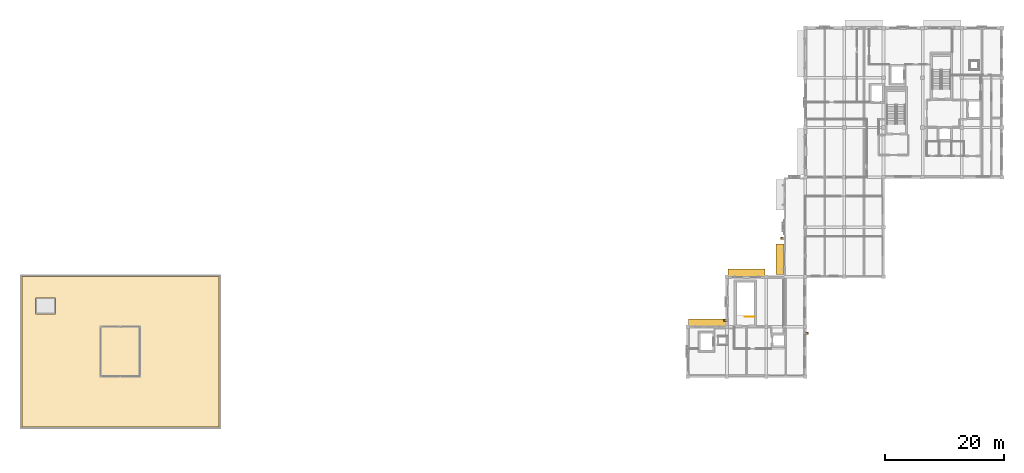
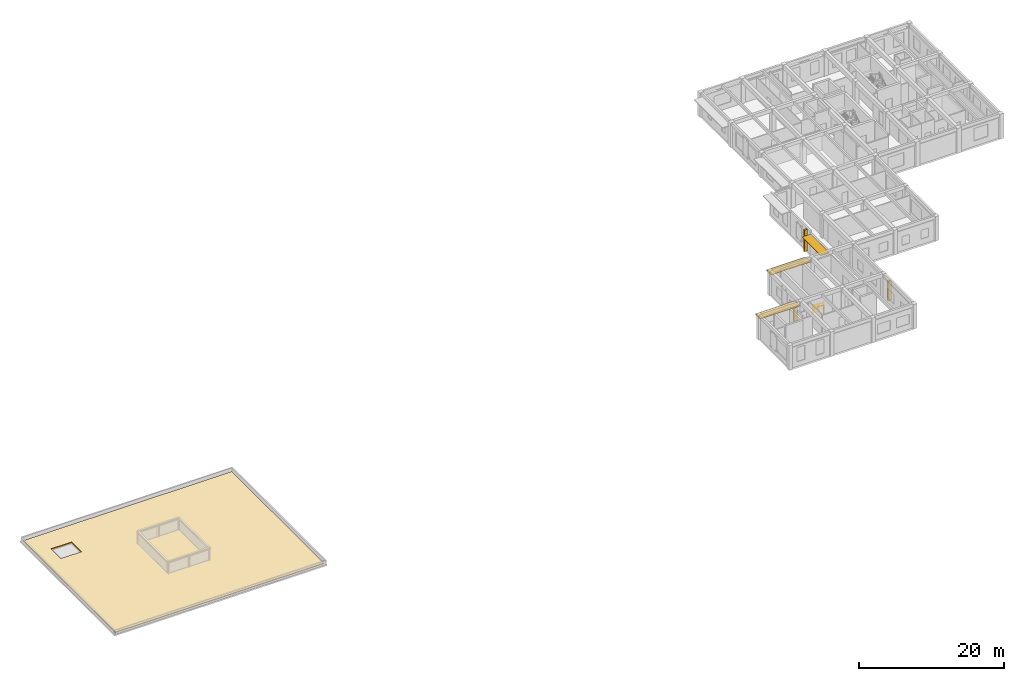
# One storey, part 12 of 14: 6 shading devices, 1 covering, 1 railing.
"""IFC4 building model written with IfcOpenShell, lengths in metres."""

from ifc_helpers import new_model, si_unit, direction, frame, origin, origin_2d, place, context, subcontext, project, spatial, polyline, rectangle, circle, outline, extrude, material, layer, layer_set, type_object, element, save


model = new_model("IFC4")

# Units and contexts
model_context = context("Model", 3, precision=1e-05, world=origin(), true_north=direction((0.0, 1.0)))
body_context = subcontext(model_context, "Body", "Model", "MODEL_VIEW")
ifc_project = project(units=[si_unit("LENGTHUNIT", "METRE"), si_unit("AREAUNIT", "SQUARE_METRE"), si_unit("VOLUMEUNIT", "CUBIC_METRE"), si_unit("PLANEANGLEUNIT", "RADIAN"), si_unit("MASSUNIT", "GRAM", prefix="KILO")], contexts=[model_context])

# Site, building, storey
site_placement = place(None, origin())
site = spatial("IfcSite", under=ifc_project, at=site_placement, CompositionType="ELEMENT")
building_placement = place(site_placement, origin())
building = spatial("IfcBuilding", under=site, at=building_placement, Name="Kolvaren Faculty of Natural Sciences", CompositionType="ELEMENT")
storey_placement = place(building_placement, frame((0.0, 0.0, 28.5)))
storey = spatial("IfcBuildingStorey", under=building, at=storey_placement, Name="L06", CompositionType="ELEMENT", Elevation=28.5)

# Shading devices
ifc_material_1 = material(Name="Precast concrete C35/45", Category="concrete")
ifc_layer_1 = layer(ifc_material_1, 0.1201171875)
ifc_layer_set_1 = layer_set([ifc_layer_1], Name="Precast concrete C35/45")
shading_device_type_1 = type_object("IfcShadingDeviceType", Name="ChhajjaSolarHood_1350", PredefinedType="AWNING", material=ifc_layer_set_1)
for number, where, z_axis, x_axis, name in (
    (1, (122.300048828125, 34.455078125, 3.19482421875), (0.0, 0.0, 1.0), (1.0, 0.0, 0.0), "L06 precast sandstone chhajja solar hood 176"),
    (2, (128.89990234375, 42.85498046875, 3.19482421875), (0.0, 0.0, 1.0), (1.0, 0.0, 0.0), "L06 precast sandstone chhajja solar hood 177"),
):
    element("IfcShadingDevice", number, at=place(storey_placement, frame(where, z_axis=z_axis, x_axis=x_axis)), inside=storey, type_object=shading_device_type_1, Name=name, PredefinedType="AWNING", context=body_context, shape_type="SweptSolid", body=[
        extrude(rectangle(XDim=6.300048828125, YDim=1.35009765625, at=origin_2d()), origin(), (0.0, 0.0, 1.0), 0.1201171875),
    ])
shading_device_1_placement = place(storey_placement, frame((134.544921875, 45.166748046875, 3.344970703125), z_axis=(0.0, 0.0, 1.0), x_axis=(0.0, 1.0, 0.0)))
element("IfcShadingDevice", 3, at=shading_device_1_placement, inside=storey, type_object=shading_device_type_1, Name="L06 precast sandstone chhajja solar hood 178", PredefinedType="AWNING", context=body_context, shape_type="SweptSolid", body=[
    extrude(rectangle(XDim=5.13330078125, YDim=1.35009765625, at=origin_2d()), origin(), (0.0, 0.0, 1.0), 0.1201171875),
])
ifc_layer_2 = layer(ifc_material_1, 0.280029296875)
ifc_layer_set_2 = layer_set([ifc_layer_2], Name="Precast concrete C35/45")
shading_device_type_2 = type_object("IfcShadingDeviceType", Name="FacadeReliefFin_280x520", PredefinedType="USERDEFINED", material=ifc_layer_set_2)
shading_device_2_placement = place(storey_placement, frame((125.360107421875, 34.89990234375, 0.1201171875), z_axis=(0.0, 0.0, 1.0), x_axis=(0.0, 1.0, 0.0)))
element("IfcShadingDevice", 4, at=shading_device_2_placement, inside=storey, type_object=shading_device_type_2, Name="L06 projecting sandstone facade relief fin 19", ObjectType="FIN", PredefinedType="USERDEFINED", context=body_context, shape_type="SweptSolid", body=[
    extrude(rectangle(XDim=0.280029296875, YDim=0.52001953125, at=origin_2d()), origin(), (0.0, 0.0, 1.0), 3.155029296875),
])
shading_device_3_placement = place(storey_placement, frame((134.9599609375, 48.7333984375, 0.1201171875), z_axis=(0.0, 0.0, 1.0), x_axis=(0.0, 1.0, 0.0)))
element("IfcShadingDevice", 5, at=shading_device_3_placement, inside=storey, type_object=shading_device_type_2, Name="L06 projecting sandstone facade relief fin 20", ObjectType="FIN", PredefinedType="USERDEFINED", context=body_context, shape_type="SweptSolid", body=[
    extrude(rectangle(XDim=0.280029296875, YDim=0.52001953125, at=origin_2d()), origin(), (0.0, 0.0, 1.0), 3.639892578125),
])
shading_device_4_placement = place(storey_placement, frame((139.0400390625, 32.699951171875, 0.1201171875), z_axis=(0.0, 0.0, 1.0), x_axis=(0.0, -1.0, 0.0)))
element("IfcShadingDevice", 6, at=shading_device_4_placement, inside=storey, type_object=shading_device_type_2, Name="L06 projecting sandstone facade relief fin 21", ObjectType="FIN", PredefinedType="USERDEFINED", context=body_context, shape_type="SweptSolid", body=[
    extrude(rectangle(XDim=0.280029296875, YDim=0.52001953125, at=origin_2d()), origin(), (0.0, 0.0, 1.0), 3.304931640625),
])

# Covering
ifc_material_2 = material(Name="SBS polymer-modified bitumen waterproofing membrane over PIR insulation")
ifc_layer_3 = layer(ifc_material_2, 0.139892578125)
ifc_layer_set_3 = layer_set([ifc_layer_3], Name="SBS polymer-modified bitumen waterproofing membrane over PIR insulation")
covering_type = type_object("IfcCoveringType", Name="InsulatedRoofMembrane_140", PredefinedType="ROOFING", material=ifc_layer_set_3)
covering_placement = place(storey_placement, origin())
element("IfcCovering", 7, at=covering_placement, inside=storey, type_object=covering_type, Name="L06 insulated warm-roof waterproofing membrane 1", PredefinedType="ROOFING", context=body_context, shape_type="SweptSolid", body=[
    extrude(outline(polyline([(6.68994140625, 16.889892578125), (6.68994140625, 42.31005859375), (39.909912109375, 42.31005859375), (39.909912109375, 16.889892578125), (6.68994140625, 16.889892578125)]), holes=[polyline([(12.323974609375, 38.68603515625), (9.02392578125, 38.68603515625), (9.02392578125, 35.986083984375), (12.323974609375, 35.986083984375), (12.323974609375, 38.68603515625)])]), origin(), (0.0, 0.0, 1.0), 0.139892578125),
])

# Railing
ifc_material_3 = material(Name="Structural steel EN 10210-1 S355J2H", Category="steel")
ifc_layer_4 = layer(ifc_material_3, 0.048095703125)
ifc_layer_set_4 = layer_set([ifc_layer_4], Name="Structural steel EN 10210-1 S355J2H")
railing_type = type_object("IfcRailingType", Name="StairWellGuard_1100", PredefinedType="BALUSTRADE", material=ifc_layer_set_4)
railing_placement = place(storey_placement, frame((130.25, 35.5, 0.0)))
element("IfcRailing", 8, at=railing_placement, inside=storey, type_object=railing_type, Name="L06 ST-3 top well guard 1", PredefinedType="BALUSTRADE", context=body_context, shape_type="SweptSolid", body=[
    extrude(circle(Radius=0.02392578125, at=origin_2d()), frame((0.0, 0.0, 1.076171875), z_axis=(-1.0, 0.0, 0.0), x_axis=(0.0, -1.0, 0.0)), (0.0, 0.0, 1.0), 1.64990234375),
    extrude(circle(Radius=0.02099609375, at=origin_2d()), origin(), (0.0, 0.0, 1.0), 1.052001953125),
    extrude(circle(Radius=0.02099609375, at=origin_2d()), frame((-0.824951171875, 0.0, 0.0)), (0.0, 0.0, 1.0), 1.052001953125),
    extrude(circle(Radius=0.02099609375, at=origin_2d()), frame((-1.64990234375, 0.0, 0.0)), (0.0, 0.0, 1.0), 1.052001953125),
])

save(model, "model.ifc")
